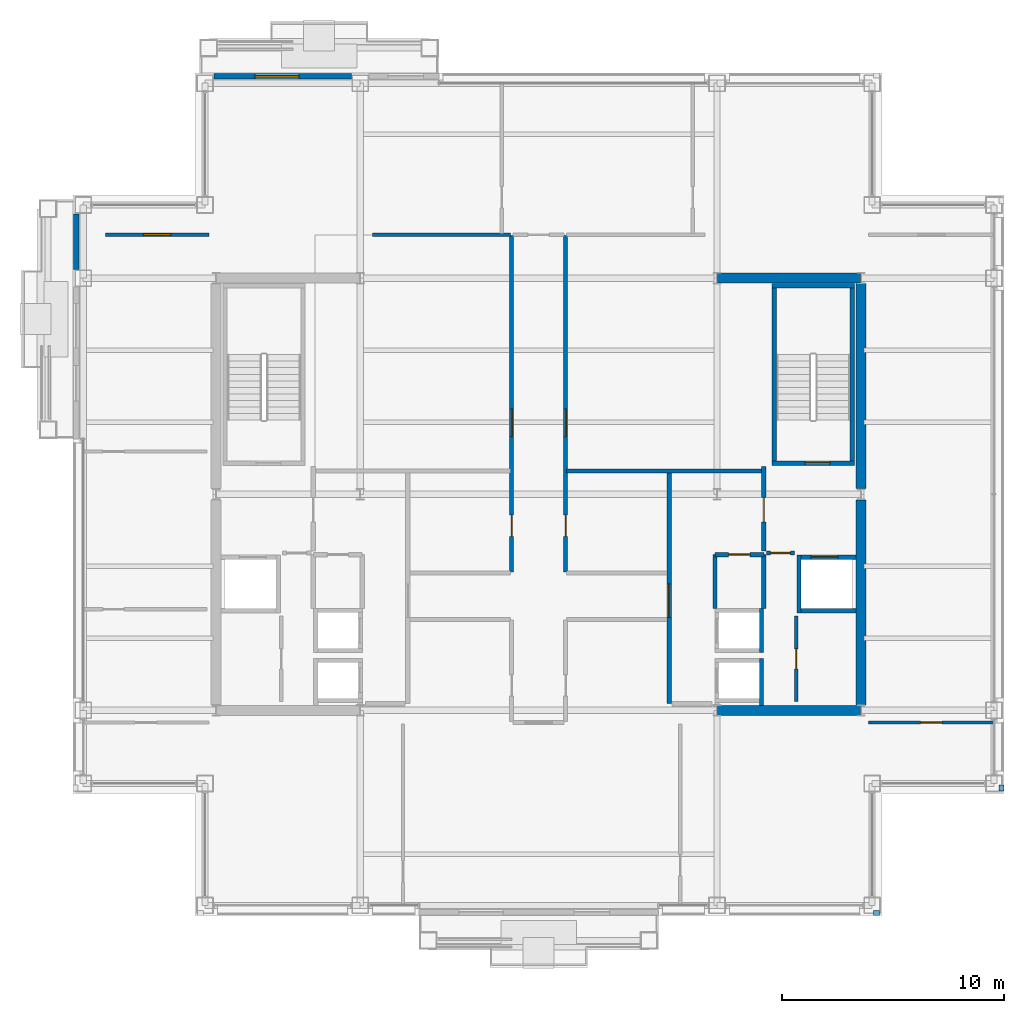
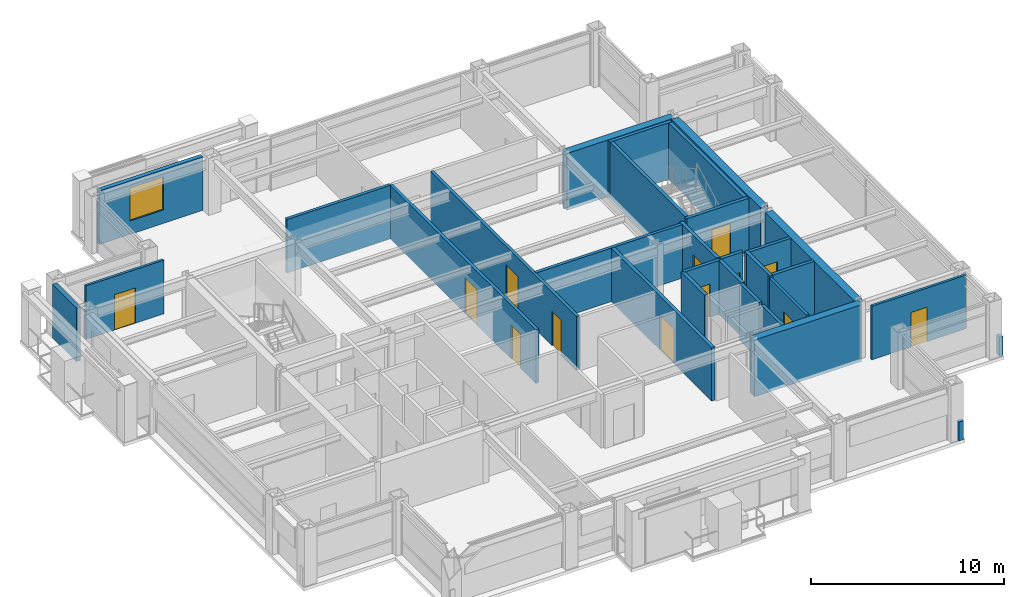
# One storey, part 27 of 31: 30 walls, 13 doors, 1 window, 14 openings.
"""IFC4 building model written with IfcOpenShell, lengths in metres."""

import ifcopenshell
import ifcopenshell.guid

model = None  # the IFC model being written
_history = None  # IfcOwnerHistory: only IFC2X3 demands one
_inside = {}  # id of a spatial element -> (the spatial element, [elements in it])
_under = {}  # id of a project, library or spatial element -> (it, [spatial elements below it])
_declared = {}  # id of a project -> (the project, [libraries it declares])
_typed = {}  # id of a type object -> (the type object, [elements of that type])
_made_of = {}  # id of a material, layer set ... -> (it, [elements and type objects made of it])


def new_model(schema):
    """Start an empty IFC model of exactly this schema.

    Asked for "IFC4X3", IfcOpenShell would pick the latest addendum, in which some entities
    have other attributes; the version numbers below select the first issue.
    IFC2X3 requires an IfcOwnerHistory on every rooted entity: one is made here for all.
    """
    global model, _history
    if schema == "IFC4X3":
        model = ifcopenshell.file(schema_version=(4, 3, 0, 0))
    else:
        model = ifcopenshell.file(schema=schema)
    _inside.clear()
    _under.clear()
    _declared.clear()
    _typed.clear()
    _made_of.clear()
    _history = None
    if model.schema == "IFC2X3":
        org = make("IfcOrganization", Name="unknown")
        user = make(
            "IfcPersonAndOrganization",
            ThePerson=make("IfcPerson", FamilyName="unknown"),
            TheOrganization=org,
        )
        app = make(
            "IfcApplication",
            ApplicationDeveloper=org,
            Version="unknown",
            ApplicationFullName="unknown",
            ApplicationIdentifier="unknown",
        )
        _history = make(
            "IfcOwnerHistory",
            OwningUser=user,
            OwningApplication=app,
            ChangeAction="ADDED",
            CreationDate=0,
        )
    return model


def make(cls, **values):
    """One entity of the class cls with the attributes given. An attribute that is None is left unset."""
    return model.create_entity(
        cls, **{name: value for name, value in values.items() if value is not None}
    )


def rooted(cls, **values):
    """An entity with a GlobalId (a new one), such as an element, a storey or a relation."""
    return make(cls, GlobalId=ifcopenshell.guid.new(), OwnerHistory=_history, **values)


def si_unit(unit_type, name, prefix=None):
    """IfcSIUnit, for example si_unit("LENGTHUNIT", "METRE", prefix="MILLI")."""
    return make("IfcSIUnit", UnitType=unit_type, Prefix=prefix, Name=name)


def assignment(units):
    """IfcUnitAssignment: the units of a project."""
    return None if units is None else make("IfcUnitAssignment", Units=units)


def point(xyz):
    """IfcCartesianPoint."""
    return None if xyz is None else make("IfcCartesianPoint", Coordinates=xyz)


def direction(xyz):
    """IfcDirection."""
    return None if xyz is None else make("IfcDirection", DirectionRatios=xyz)


def frame(location, z_axis=None, x_axis=None):
    """IfcAxis2Placement3D, a coordinate frame: its origin and axes. An axis left out is left unset."""
    return make(
        "IfcAxis2Placement3D",
        Location=point(location),
        Axis=direction(z_axis),
        RefDirection=direction(x_axis),
    )


def frame_2d(location, x_axis=None):
    """IfcAxis2Placement2D, a coordinate frame in the plane: its origin and x axis."""
    return make(
        "IfcAxis2Placement2D", Location=point(location), RefDirection=direction(x_axis)
    )


def origin():
    """The frame at (0, 0, 0) with its axes left unset."""
    return frame((0.0, 0.0, 0.0))


def place(relative_to, where):
    """IfcLocalPlacement: puts the frame where relative to a parent placement (None: the world)."""
    return make(
        "IfcLocalPlacement", PlacementRelTo=relative_to, RelativePlacement=where
    )


def context(
    kind, dimensions, precision=None, world=None, true_north=None, identifier=None
):
    """IfcGeometricRepresentationContext, for example the 3D "Model" context."""
    return make(
        "IfcGeometricRepresentationContext",
        ContextIdentifier=identifier,
        ContextType=kind,
        CoordinateSpaceDimension=dimensions,
        Precision=precision,
        WorldCoordinateSystem=world,
        TrueNorth=true_north,
    )


def subcontext(parent, identifier, kind, view, scale=None):
    """IfcGeometricRepresentationSubContext, for example "Body" below "Model"."""
    return make(
        "IfcGeometricRepresentationSubContext",
        ContextIdentifier=identifier,
        ContextType=kind,
        ParentContext=parent,
        TargetScale=scale,
        TargetView=view,
    )


def project(units=None, contexts=None):
    """IfcProject with its units and contexts."""
    return rooted(
        "IfcProject",
        Name="project",
        RepresentationContexts=contexts,
        UnitsInContext=assignment(units),
    )


def spatial(cls, under=None, at=None, **own):
    """A site, building, storey or space (cls), placed at a placement, below another one or the project."""
    s = rooted(cls, ObjectPlacement=at, **own)
    if under is not None:
        _under.setdefault(under.id(), (under, []))[1].append(s)
    return s


def profile(cls, at=None, kind="AREA", **sizes):
    """A parametric profile (cls). Its sizes go by their IFC names, for example OverallWidth=200.0."""
    return make(cls, ProfileType=kind, Position=at, **sizes)


def rectangle(**sizes):
    """IfcRectangleProfileDef."""
    return profile("IfcRectangleProfileDef", **sizes)


def extrude(swept, where, along, depth):
    """IfcExtrudedAreaSolid: the profile swept, set in the frame where, extruded along a direction by depth."""
    return make(
        "IfcExtrudedAreaSolid",
        SweptArea=swept,
        Position=where,
        ExtrudedDirection=direction(along),
        Depth=depth,
    )


def shape(context_of_items, identifier, shape_type, items):
    """IfcShapeRepresentation: the items that make up one representation, for example the "Body"."""
    return make(
        "IfcShapeRepresentation",
        ContextOfItems=context_of_items,
        RepresentationIdentifier=identifier,
        RepresentationType=shape_type,
        Items=items,
    )


def material(Name=None, Category=None):
    """IfcMaterial."""
    return make("IfcMaterial", Name=Name, Category=Category)


def layer(
    of_material, thickness, ventilated=None, Name=None, Category=None, Priority=None
):
    """IfcMaterialLayer: one layer of a wall or slab, of a material (None: an air gap)."""
    return make(
        "IfcMaterialLayer",
        Material=of_material,
        LayerThickness=thickness,
        IsVentilated=ventilated,
        Name=Name,
        Category=Category,
        Priority=Priority,
    )


def layer_set(layers, Name=None):
    """IfcMaterialLayerSet."""
    return make("IfcMaterialLayerSet", MaterialLayers=layers, LayerSetName=Name)


def made_of(thing, what):
    """Note that an element or type object is made of a material, layer set ...; save() writes the relation."""
    if what is not None:
        _made_of.setdefault(what.id(), (what, []))[1].append(thing)
    return thing


def type_object(cls, material=None, **own):
    """A type object (cls), such as IfcWallType, which elements share."""
    return made_of(rooted(cls, **own), material)


def element(
    cls,
    number,
    at=None,
    inside=None,
    cuts=None,
    type_object=None,
    material=None,
    context=None,
    identifier="Body",
    shape_type=None,
    held_by="IfcProductDefinitionShape",
    body=None,
    shapes=None,
    **own,
):
    """One element of the class cls, such as IfcWall. Its Tag is "e" and its number.

    at: its placement. inside: the storey or other place that contains it. cuts: it is an
    opening in that element (IfcRelVoidsElement). A single representation is given by context,
    identifier, shape_type and body (its items); several are given by shapes. held_by: the class
    of the entity that holds the representations. save() writes the other relations.
    """
    e = rooted(cls, Tag="e%d" % number, ObjectPlacement=at, **own)
    if body is not None:
        shapes = [shape(context, identifier, shape_type, body)]
    if shapes is not None:
        e.Representation = make(held_by, Representations=shapes)
    if inside is not None:
        _inside.setdefault(inside.id(), (inside, []))[1].append(e)
    if cuts is not None:
        rooted(
            "IfcRelVoidsElement", RelatingBuildingElement=cuts, RelatedOpeningElement=e
        )
    if type_object is not None:
        _typed.setdefault(type_object.id(), (type_object, []))[1].append(e)
    return made_of(e, material)


def fill(opening, filler):
    """IfcRelFillsElement: the door or window that sits in an opening."""
    return rooted(
        "IfcRelFillsElement",
        RelatingOpeningElement=opening,
        RelatedBuildingElement=filler,
    )


def aggregate(whole, parts):
    """IfcRelAggregates: a whole, such as a stair, and the parts it consists of."""
    return rooted("IfcRelAggregates", RelatingObject=whole, RelatedObjects=parts)


def save(model, path):
    """Write the relations noted so far, then the file.

    IfcRelAggregates (storeys below a building ...), IfcRelContainedInSpatialStructure (elements
    in a storey), IfcRelDefinesByType, IfcRelAssociatesMaterial and IfcRelDeclares: one each for
    every whole, place, type object, material and project.
    """
    for whole, parts in _under.values():
        aggregate(whole, parts)
    for where, things in _inside.values():
        rooted(
            "IfcRelContainedInSpatialStructure",
            RelatedElements=things,
            RelatingStructure=where,
        )
    for kind, things in _typed.values():
        rooted("IfcRelDefinesByType", RelatedObjects=things, RelatingType=kind)
    for what, things in _made_of.values():
        rooted("IfcRelAssociatesMaterial", RelatedObjects=things, RelatingMaterial=what)
    for by, libraries in _declared.values():
        rooted("IfcRelDeclares", RelatingContext=by, RelatedDefinitions=libraries)
    model.write(path)


model = new_model("IFC4")

# Units and contexts
model_context = context("Model", 3, precision=1e-05, world=origin(), true_north=direction((0.0, 1.0)))
body_context = subcontext(model_context, "Body", "Model", "MODEL_VIEW")
ifc_project = project(units=[si_unit("LENGTHUNIT", "METRE"), si_unit("AREAUNIT", "SQUARE_METRE"), si_unit("VOLUMEUNIT", "CUBIC_METRE"), si_unit("PLANEANGLEUNIT", "RADIAN"), si_unit("MASSUNIT", "GRAM", prefix="KILO")], contexts=[model_context])

# Site, building, storey
site_placement = place(None, origin())
site = spatial("IfcSite", under=ifc_project, at=site_placement, CompositionType="ELEMENT")
building_placement = place(site_placement, origin())
building = spatial("IfcBuilding", under=site, at=building_placement, Name="Brelmoor Portico Tower", CompositionType="ELEMENT")
storey_placement = place(building_placement, frame((0.0, 0.0, 176.699951171875)))
storey = spatial("IfcBuildingStorey", under=building, at=storey_placement, Name="L46", CompositionType="ELEMENT", Elevation=176.699951171875)

# Walls
ifc_material_1 = material(Name="Concrete C50", Category="concrete")
ifc_layer_1 = layer(ifc_material_1, 0.449951171875)
ifc_layer_set_1 = layer_set([ifc_layer_1], Name="Concrete C50")
wall_type_1 = type_object("IfcWallType", Name="WL-CORE-450", PredefinedType="SHEAR", material=ifc_layer_set_1)
for number, where, z_axis, x_axis, name in (
    (1, (8.070068359375, -9.75, -0.199951171875), (0.0, 0.0, 1.0), (1.0, 0.0, 0.0), "L46 EC South Shear Wall"),
    (2, (8.070068359375, 9.75, -0.199951171875), (0.0, 0.0, 1.0), (1.0, 0.0, 0.0), "L46 EC North Shear Wall"),
):
    element("IfcWall", number, at=place(storey_placement, frame(where, z_axis=z_axis, x_axis=x_axis)), inside=storey, type_object=wall_type_1, Name=name, PredefinedType="SHEAR", context=body_context, shape_type="SweptSolid", body=[
        extrude(rectangle(XDim=6.4599609375, YDim=0.449951171875, at=frame_2d((3.22998046875, 0.0))), origin(), (0.0, 0.0, 1.0), 3.60009765625),
    ])
for number, where, z_axis, x_axis, name in (
    (3, (14.550048828125, -9.5, -0.199951171875), (0.0, 0.0, 1.0), (0.0, 1.0, 0.0), "L46 EC Outer South Shear Wall"),
    (4, (14.550048828125, 0.25, -0.199951171875), (0.0, 0.0, 1.0), (0.0, 1.0, 0.0), "L46 EC Outer North Shear Wall"),
):
    element("IfcWall", number, at=place(storey_placement, frame(where, z_axis=z_axis, x_axis=x_axis)), inside=storey, type_object=wall_type_1, Name=name, PredefinedType="SHEAR", context=body_context, shape_type="SweptSolid", body=[
        extrude(rectangle(XDim=9.25, YDim=0.449951171875, at=frame_2d((4.625, 0.0))), origin(), (0.0, 0.0, 1.0), 3.60009765625),
    ])

# Wall, opening, window
ifc_material_2 = material(Name="Precast Concrete C40 Insulated Facade Wall", Category="concrete")
ifc_layer_2 = layer(ifc_material_2, 0.25)
ifc_layer_set_2 = layer_set([ifc_layer_2], Name="Precast Concrete C40 Insulated Facade Wall")
wall_type_2 = type_object("IfcWallType", Name="WL-EXT-250", PredefinedType="STANDARD", material=ifc_layer_set_2)
wall_1_placement = place(storey_placement, frame((-14.655029296875, 18.860107421875, 0.0), z_axis=(0.0, 0.0, 1.0), x_axis=(1.0, 0.0, 0.0)))
wall_1 = element("IfcWall", 5, at=wall_1_placement, inside=storey, type_object=wall_type_2, Name="L46 Loggia Threshold Wall N-1", PredefinedType="STANDARD", context=body_context, shape_type="SweptSolid", body=[
    extrude(rectangle(XDim=6.2099609375, YDim=0.25, at=frame_2d((3.10498046875, 0.0))), origin(), (0.0, 0.0, 1.0), 3.400146484375),
])
opening_1_placement = place(wall_1_placement, frame((1.85498046875, 0.0, 0.85009765625)))
opening_1 = element("IfcOpeningElement", 6, at=opening_1_placement, cuts=wall_1, Name="Opening W-03", PredefinedType="OPENING", context=body_context, shape_type="SweptSolid", body=[
    extrude(rectangle(XDim=2.0, YDim=2.10009765625, at=frame_2d((1.0, 1.050048828125))), frame((0.0, 0.135009765625, 0.0), z_axis=(0.0, -1.0, 0.0), x_axis=(1.0, 0.0, 0.0)), (0.0, 0.0, 1.0), 0.27001953125),
])
ifc_material_3 = material(Name="Thermally Broken Aluminium Low-E Window", Category="aluminium")
window_type = type_object("IfcWindowType", Name="WN-LOGGIA-2000x2100", PartitioningType="SINGLE_PANEL", PredefinedType="WINDOW", material=ifc_material_3)
window_placement = place(opening_1_placement, origin())
window = element("IfcWindow", 7, at=window_placement, inside=storey, type_object=window_type, Name="L46 Loggia Window N", OverallHeight=2.10009765625, OverallWidth=2.0, PartitioningType="SINGLE_PANEL", PredefinedType="WINDOW", context=body_context, shape_type="SweptSolid", body=[
    extrude(rectangle(XDim=2.0, YDim=2.10009765625, at=frame_2d((1.0, 1.050048828125))), frame((0.0, 0.030029296875, 0.0), z_axis=(0.0, -1.0, 0.0), x_axis=(1.0, 0.0, 0.0)), (0.0, 0.0, 1.0), 0.06005859375),
])
fill(opening_1, window)

# Walls
wall_2_placement = place(storey_placement, frame((-20.860107421875, 10.14501953125, 0.0), z_axis=(0.0, 0.0, 1.0), x_axis=(0.0, 1.0, 0.0)))
element("IfcWall", 8, at=wall_2_placement, inside=storey, type_object=wall_type_2, Name="L46 Loggia Threshold Wall W-2", PredefinedType="STANDARD", context=body_context, shape_type="SweptSolid", body=[
    extrude(rectangle(XDim=2.510009765625, YDim=0.25, at=frame_2d((1.2548828125, 0.0))), origin(), (0.0, 0.0, 1.0), 3.400146484375),
])
ifc_material_4 = material(Name="Concrete C40 Parapet Upstand", Category="concrete")
ifc_layer_3 = layer(ifc_material_4, 0.219970703125)
ifc_layer_set_3 = layer_set([ifc_layer_3], Name="Concrete C40 Parapet Upstand")
wall_type_3 = type_object("IfcWallType", Name="WL-PARAPET-220", PredefinedType="PARAPET", material=ifc_layer_set_3)
for number, where, z_axis, x_axis, name in (
    (9, (15.1201171875, -18.889892578125, 0.0), (0.0, 0.0, 1.0), (1.0, 0.0, 0.0), "L46 Chamfer Vertex Parapet Pier SE1"),
    (10, (20.889892578125, -13.389892578125, 0.0), (0.0, 0.0, 1.0), (0.0, 1.0, 0.0), "L46 Chamfer Vertex Parapet Pier SE2"),
):
    element("IfcWall", number, at=place(storey_placement, frame(where, z_axis=z_axis, x_axis=x_axis)), inside=storey, type_object=wall_type_3, Name=name, PredefinedType="PARAPET", context=body_context, shape_type="SweptSolid", body=[
        extrude(rectangle(XDim=0.269775390625, YDim=0.219970703125, at=frame_2d((0.134765625, 0.0))), origin(), (0.0, 0.0, 1.0), 1.199951171875),
    ])

# Wall, opening, door
ifc_material_5 = material(Name="Wet-Area Moisture-Resistant Partition", Category="gypsum")
ifc_layer_4 = layer(ifc_material_5, 0.14990234375)
ifc_layer_set_4 = layer_set([ifc_layer_4], Name="Wet-Area Moisture-Resistant Partition")
wall_type_4 = type_object("IfcWallType", Name="WL-PART-150", PredefinedType="PARTITIONING", material=ifc_layer_set_4)
wall_3_placement = place(storey_placement, frame((-19.550048828125, 11.7099609375, 0.0), z_axis=(0.0, 0.0, 1.0), x_axis=(1.0, 0.0, 0.0)))
wall_3 = element("IfcWall", 11, at=wall_3_placement, inside=storey, type_object=wall_type_4, Name="L46 North Wing Suite Wall WL", PredefinedType="PARTITIONING", context=body_context, shape_type="SweptSolid", body=[
    extrude(rectangle(XDim=4.670166015625, YDim=0.14990234375, at=frame_2d((2.3349609375, 0.0))), origin(), (0.0, 0.0, 1.0), 3.400146484375),
])
opening_2_placement = place(wall_3_placement, frame((1.715087890625, 0.0, 0.0)))
opening_2 = element("IfcOpeningElement", 12, at=opening_2_placement, cuts=wall_3, Name="Opening D-SU1", PredefinedType="OPENING", context=body_context, shape_type="SweptSolid", body=[
    extrude(rectangle(XDim=1.239990234375, YDim=2.239990234375, at=frame_2d((0.6201171875, 1.1201171875))), frame((0.0, 0.0849609375, 0.0), z_axis=(0.0, -1.0, 0.0), x_axis=(1.0, 0.0, 0.0)), (0.0, 0.0, 1.0), 0.169921875),
])
ifc_material_6 = material(Name="Glazed Timber Executive Suite Door", Category="wood")
door_type_1 = type_object("IfcDoorType", Name="DR-SUITE-1200", OperationType="NOTDEFINED", PredefinedType="DOOR", material=ifc_material_6)
door_1_placement = place(opening_2_placement, origin())
door_1 = element("IfcDoor", 13, at=door_1_placement, inside=storey, type_object=door_type_1, Name="D-1966 L46 WL Wing Suite Connecting Door", OperationType="SINGLE_SWING_LEFT", OverallHeight=2.239990234375, OverallWidth=1.239990234375, PredefinedType="DOOR", context=body_context, shape_type="SweptSolid", body=[
    extrude(rectangle(XDim=1.239990234375, YDim=2.239990234375, at=frame_2d((0.6201171875, 1.1201171875))), frame((0.0, 0.02490234375, 0.0), z_axis=(0.0, -1.0, 0.0), x_axis=(1.0, 0.0, 0.0)), (0.0, 0.0, 1.0), 0.050048828125),
])
fill(opening_2, door_1)

wall_4_placement = place(storey_placement, frame((14.8798828125, -10.300048828125, 0.0), z_axis=(0.0, 0.0, 1.0), x_axis=(1.0, 0.0, 0.0)))
wall_4 = element("IfcWall", 14, at=wall_4_placement, inside=storey, type_object=wall_type_4, Name="L46 South Wing Closure ER", PredefinedType="PARTITIONING", context=body_context, shape_type="SweptSolid", body=[
    extrude(rectangle(XDim=5.68017578125, YDim=0.14990234375, at=frame_2d((2.840087890625, 0.0))), origin(), (0.0, 0.0, 1.0), 3.400146484375),
])
opening_3_placement = place(wall_4_placement, frame((2.360107421875, 0.0, 0.0)))
opening_3 = element("IfcOpeningElement", 15, at=opening_3_placement, cuts=wall_4, Name="Opening D-IN2", PredefinedType="OPENING", context=body_context, shape_type="SweptSolid", body=[
    extrude(rectangle(XDim=0.9599609375, YDim=2.179931640625, at=frame_2d((0.47998046875, 1.08984375))), frame((0.0, 0.0849609375, 0.0), z_axis=(0.0, -1.0, 0.0), x_axis=(1.0, 0.0, 0.0)), (0.0, 0.0, 1.0), 0.169921875),
])
ifc_material_7 = material(Name="Lacquered Timber Suite Door", Category="wood")
door_type_2 = type_object("IfcDoorType", Name="DR-INT-950", OperationType="NOTDEFINED", PredefinedType="DOOR", material=ifc_material_7)
door_2_placement = place(opening_3_placement, origin())
door_2 = element("IfcDoor", 16, at=door_2_placement, inside=storey, type_object=door_type_2, Name="D-1972 L46 ER Wing South Suite Door", OperationType="SINGLE_SWING_LEFT", OverallHeight=2.179931640625, OverallWidth=0.9599609375, PredefinedType="DOOR", context=body_context, shape_type="SweptSolid", body=[
    extrude(rectangle(XDim=0.9599609375, YDim=2.179931640625, at=frame_2d((0.47998046875, 1.08984375))), frame((0.0, 0.02490234375, 0.0), z_axis=(0.0, -1.0, 0.0), x_axis=(1.0, 0.0, 0.0)), (0.0, 0.0, 1.0), 0.050048828125),
])
fill(opening_3, door_2)

ifc_material_8 = material(Name="Twin-Frame Acoustic Partition", Category="gypsum")
ifc_layer_5 = layer(ifc_material_8, 0.159912109375)
ifc_layer_set_5 = layer_set([ifc_layer_5], Name="Twin-Frame Acoustic Partition")
wall_type_5 = type_object("IfcWallType", Name="WL-PART-160", PredefinedType="PARTITIONING", material=ifc_layer_set_5)
wall_5_placement = place(storey_placement, frame((11.6201171875, -9.35009765625, 0.0), z_axis=(0.0, 0.0, 1.0), x_axis=(0.0, 1.0, 0.0)))
wall_5 = element("IfcWall", 17, at=wall_5_placement, inside=storey, type_object=wall_type_5, Name="L46 E Core Service Front Wall", PredefinedType="PARTITIONING", context=body_context, shape_type="SweptSolid", body=[
    extrude(rectangle(XDim=3.85009765625, YDim=0.159912109375, at=frame_2d((1.925048828125, 0.0))), origin(), (0.0, 0.0, 1.0), 3.400146484375),
])
opening_4_placement = place(wall_5_placement, frame((1.47509765625, 0.0, 0.0)))
opening_4 = element("IfcOpeningElement", 18, at=opening_4_placement, cuts=wall_5, Name="Opening D-IN1", PredefinedType="OPENING", context=body_context, shape_type="SweptSolid", body=[
    extrude(rectangle(XDim=0.89990234375, YDim=2.14990234375, at=frame_2d((0.449951171875, 1.074951171875))), frame((0.0, 0.08984375, 0.0), z_axis=(0.0, -1.0, 0.0), x_axis=(1.0, 0.0, 0.0)), (0.0, 0.0, 1.0), 0.179931640625),
])
door_type_3 = type_object("IfcDoorType", Name="DR-INT-900", OperationType="NOTDEFINED", PredefinedType="DOOR", material=ifc_material_7)
door_3_placement = place(opening_4_placement, origin())
door_3 = element("IfcDoor", 19, at=door_3_placement, inside=storey, type_object=door_type_3, Name="D-1952 L46 E Male WC Door", OperationType="SINGLE_SWING_LEFT", OverallHeight=2.14990234375, OverallWidth=0.89990234375, PredefinedType="DOOR", context=body_context, shape_type="SweptSolid", body=[
    extrude(rectangle(XDim=0.89990234375, YDim=2.14990234375, at=frame_2d((0.449951171875, 1.074951171875))), frame((0.0, 0.02490234375, 0.0), z_axis=(0.0, -1.0, 0.0), x_axis=(1.0, 0.0, 0.0)), (0.0, 0.0, 1.0), 0.050048828125),
])
fill(opening_4, door_3)

# Wall, openings, doors
ifc_material_9 = material(Name="Acoustic Corridor Fire Partition", Category="gypsum")
ifc_layer_6 = layer(ifc_material_9, 0.179931640625)
ifc_layer_set_6 = layer_set([ifc_layer_6], Name="Acoustic Corridor Fire Partition")
wall_type_6 = type_object("IfcWallType", Name="WL-PART-180", PredefinedType="PARTITIONING", material=ifc_layer_set_6)
wall_6_placement = place(storey_placement, frame((-1.219970703125, -3.5, 0.0), z_axis=(0.0, 0.0, 1.0), x_axis=(0.0, 1.0, 0.0)))
wall_6 = element("IfcWall", 20, at=wall_6_placement, inside=storey, type_object=wall_type_6, Name="L46 Central Cross West Wall", PredefinedType="PARTITIONING", context=body_context, shape_type="SweptSolid", body=[
    extrude(rectangle(XDim=15.169921875, YDim=0.179931640625, at=frame_2d((7.5849609375, 0.0))), origin(), (0.0, 0.0, 1.0), 3.400146484375),
])
opening_5_placement = place(wall_6_placement, frame((6.10009765625, 0.0, 0.0)))
opening_5 = element("IfcOpeningElement", 21, at=opening_5_placement, cuts=wall_6, Name="Opening D-SU1", PredefinedType="OPENING", context=body_context, shape_type="SweptSolid", body=[
    extrude(rectangle(XDim=1.239990234375, YDim=2.239990234375, at=frame_2d((0.6201171875, 1.1201171875))), frame((0.0, 0.099853515625, 0.0), z_axis=(0.0, -1.0, 0.0), x_axis=(1.0, 0.0, 0.0)), (0.0, 0.0, 1.0), 0.199951171875),
])
opening_6_placement = place(wall_6_placement, frame((1.60009765625, 0.0, 0.0)))
opening_6 = element("IfcOpeningElement", 22, at=opening_6_placement, cuts=wall_6, Name="Opening D-IN2", PredefinedType="OPENING", context=body_context, shape_type="SweptSolid", body=[
    extrude(rectangle(XDim=0.9599609375, YDim=2.179931640625, at=frame_2d((0.47998046875, 1.08984375))), frame((0.0, 0.099853515625, 0.0), z_axis=(0.0, -1.0, 0.0), x_axis=(1.0, 0.0, 0.0)), (0.0, 0.0, 1.0), 0.199951171875),
])
door_4_placement = place(opening_6_placement, origin())
door_4 = element("IfcDoor", 23, at=door_4_placement, inside=storey, type_object=door_type_2, Name="D-1950 L46 Staff Pantry Door", OperationType="SINGLE_SWING_LEFT", OverallHeight=2.179931640625, OverallWidth=0.9599609375, PredefinedType="DOOR", context=body_context, shape_type="SweptSolid", body=[
    extrude(rectangle(XDim=0.9599609375, YDim=2.179931640625, at=frame_2d((0.47998046875, 1.08984375))), frame((0.0, 0.02490234375, 0.0), z_axis=(0.0, -1.0, 0.0), x_axis=(1.0, 0.0, 0.0)), (0.0, 0.0, 1.0), 0.050048828125),
])
fill(opening_6, door_4)
door_5_placement = place(opening_5_placement, origin())
door_5 = element("IfcDoor", 24, at=door_5_placement, inside=storey, type_object=door_type_1, Name="D-1951 L46 West Reclaimed Studio Door", OperationType="SINGLE_SWING_RIGHT", OverallHeight=2.239990234375, OverallWidth=1.239990234375, PredefinedType="DOOR", context=body_context, shape_type="SweptSolid", body=[
    extrude(rectangle(XDim=1.239990234375, YDim=2.239990234375, at=frame_2d((0.6201171875, 1.1201171875))), frame((0.0, 0.02490234375, 0.0), z_axis=(0.0, -1.0, 0.0), x_axis=(1.0, 0.0, 0.0)), (0.0, 0.0, 1.0), 0.050048828125),
])
fill(opening_5, door_5)

# Walls
wall_7_placement = place(storey_placement, frame((-7.5, 11.7099609375, 0.0), z_axis=(0.0, 0.0, 1.0), x_axis=(1.0, 0.0, 0.0)))
element("IfcWall", 25, at=wall_7_placement, inside=storey, type_object=wall_type_6, Name="L46 West Reclaimed Suite North Wall", PredefinedType="PARTITIONING", context=body_context, shape_type="SweptSolid", body=[
    extrude(rectangle(XDim=6.239990234375, YDim=0.179931640625, at=frame_2d((3.1201171875, 0.0))), origin(), (0.0, 0.0, 1.0), 3.400146484375),
])
wall_8_placement = place(storey_placement, frame((1.260009765625, 1.050048828125, 0.0), z_axis=(0.0, 0.0, 1.0), x_axis=(1.0, 0.0, 0.0)))
element("IfcWall", 26, at=wall_8_placement, inside=storey, type_object=wall_type_6, Name="L46 East Suite South Wall", PredefinedType="PARTITIONING", context=body_context, shape_type="SweptSolid", body=[
    extrude(rectangle(XDim=8.800048828125, YDim=0.179931640625, at=frame_2d((4.39990234375, 0.0))), origin(), (0.0, 0.0, 1.0), 3.400146484375),
])

# Wall, openings, doors
wall_9_placement = place(storey_placement, frame((1.219970703125, -3.5, 0.0), z_axis=(0.0, 0.0, 1.0), x_axis=(0.0, 1.0, 0.0)))
wall_9 = element("IfcWall", 27, at=wall_9_placement, inside=storey, type_object=wall_type_6, Name="L46 Central Cross East Wall", PredefinedType="PARTITIONING", context=body_context, shape_type="SweptSolid", body=[
    extrude(rectangle(XDim=15.169921875, YDim=0.179931640625, at=frame_2d((7.5849609375, 0.0))), origin(), (0.0, 0.0, 1.0), 3.400146484375),
])
opening_7_placement = place(wall_9_placement, frame((6.10009765625, 0.0, 0.0)))
opening_7 = element("IfcOpeningElement", 28, at=opening_7_placement, cuts=wall_9, Name="Opening D-SU1", PredefinedType="OPENING", context=body_context, shape_type="SweptSolid", body=[
    extrude(rectangle(XDim=1.239990234375, YDim=2.239990234375, at=frame_2d((0.6201171875, 1.1201171875))), frame((0.0, 0.099853515625, 0.0), z_axis=(0.0, -1.0, 0.0), x_axis=(1.0, 0.0, 0.0)), (0.0, 0.0, 1.0), 0.199951171875),
])
opening_8_placement = place(wall_9_placement, frame((1.60009765625, 0.0, 0.0)))
opening_8 = element("IfcOpeningElement", 29, at=opening_8_placement, cuts=wall_9, Name="Opening D-IN2", PredefinedType="OPENING", context=body_context, shape_type="SweptSolid", body=[
    extrude(rectangle(XDim=0.9599609375, YDim=2.179931640625, at=frame_2d((0.47998046875, 1.08984375))), frame((0.0, 0.099853515625, 0.0), z_axis=(0.0, -1.0, 0.0), x_axis=(1.0, 0.0, 0.0)), (0.0, 0.0, 1.0), 0.199951171875),
])
door_6_placement = place(opening_8_placement, origin())
door_6 = element("IfcDoor", 30, at=door_6_placement, inside=storey, type_object=door_type_2, Name="D-1946 L46 Client Project Office Door", OperationType="SINGLE_SWING_LEFT", OverallHeight=2.179931640625, OverallWidth=0.9599609375, PredefinedType="DOOR", context=body_context, shape_type="SweptSolid", body=[
    extrude(rectangle(XDim=0.9599609375, YDim=2.179931640625, at=frame_2d((0.47998046875, 1.08984375))), frame((0.0, 0.02490234375, 0.0), z_axis=(0.0, -1.0, 0.0), x_axis=(1.0, 0.0, 0.0)), (0.0, 0.0, 1.0), 0.050048828125),
])
fill(opening_8, door_6)
door_7_placement = place(opening_7_placement, origin())
door_7 = element("IfcDoor", 31, at=door_7_placement, inside=storey, type_object=door_type_1, Name="D-1947 L46 East Reclaimed Studio Door", OperationType="SINGLE_SWING_RIGHT", OverallHeight=2.239990234375, OverallWidth=1.239990234375, PredefinedType="DOOR", context=body_context, shape_type="SweptSolid", body=[
    extrude(rectangle(XDim=1.239990234375, YDim=2.239990234375, at=frame_2d((0.6201171875, 1.1201171875))), frame((0.0, 0.02490234375, 0.0), z_axis=(0.0, -1.0, 0.0), x_axis=(1.0, 0.0, 0.0)), (0.0, 0.0, 1.0), 0.050048828125),
])
fill(opening_7, door_7)

# Wall, opening, door
ifc_material_10 = material(Name="Double-Stud Gypsum Fire Partition", Category="gypsum")
ifc_layer_7 = layer(ifc_material_10, 0.199951171875)
ifc_layer_set_7 = layer_set([ifc_layer_7], Name="Double-Stud Gypsum Fire Partition")
wall_type_7 = type_object("IfcWallType", Name="WL-PART-200", PredefinedType="PARTITIONING", material=ifc_layer_set_7)
wall_10_placement = place(storey_placement, frame((5.89990234375, -9.449951171875, 0.0), z_axis=(0.0, 0.0, 1.0), x_axis=(0.0, 1.0, 0.0)))
wall_10 = element("IfcWall", 32, at=wall_10_placement, inside=storey, type_object=wall_type_7, Name="L46 E Core Lobby Compartment Wall", PredefinedType="PARTITIONING", context=body_context, shape_type="SweptSolid", body=[
    extrude(rectangle(XDim=10.5, YDim=0.199951171875, at=frame_2d((5.25, 0.0))), origin(), (0.0, 0.0, 1.0), 3.400146484375),
])
opening_9_placement = place(wall_10_placement, frame((3.89990234375, 0.0, 0.0)))
opening_9 = element("IfcOpeningElement", 33, at=opening_9_placement, cuts=wall_10, Name="Opening D-LB1", PredefinedType="OPENING", context=body_context, shape_type="SweptSolid", body=[
    extrude(rectangle(XDim=1.5, YDim=2.199951171875, at=frame_2d((0.75, 1.10009765625))), frame((0.0, 0.10986328125, 0.0), z_axis=(0.0, -1.0, 0.0), x_axis=(1.0, 0.0, 0.0)), (0.0, 0.0, 1.0), 0.219970703125),
])
ifc_material_11 = material(Name="Double-Leaf Glazed Steel Fire Door", Category="steel")
door_type_4 = type_object("IfcDoorType", Name="DR-LOBBY-1500", OperationType="NOTDEFINED", PredefinedType="DOOR", material=ifc_material_11)
door_8_placement = place(opening_9_placement, origin())
door_8 = element("IfcDoor", 34, at=door_8_placement, inside=storey, type_object=door_type_4, Name="D-1960 L46 E Lift Lobby Main Door", OperationType="DOUBLE_DOOR_SINGLE_SWING", OverallHeight=2.199951171875, OverallWidth=1.5, PredefinedType="DOOR", context=body_context, shape_type="SweptSolid", body=[
    extrude(rectangle(XDim=1.5, YDim=2.199951171875, at=frame_2d((0.75, 1.10009765625))), frame((0.0, 0.02490234375, 0.0), z_axis=(0.0, -1.0, 0.0), x_axis=(1.0, 0.0, 0.0)), (0.0, 0.0, 1.0), 0.050048828125),
])
fill(opening_9, door_8)

wall_11_placement = place(storey_placement, frame((10.159912109375, -2.550048828125, 0.0), z_axis=(0.0, 0.0, 1.0), x_axis=(0.0, 1.0, 0.0)))
wall_11 = element("IfcWall", 35, at=wall_11_placement, inside=storey, type_object=wall_type_7, Name="L46 E Firefighting Lobby Wall", PredefinedType="PARTITIONING", context=body_context, shape_type="SweptSolid", body=[
    extrude(rectangle(XDim=3.800048828125, YDim=0.199951171875, at=frame_2d((1.89990234375, 0.0))), origin(), (0.0, 0.0, 1.0), 3.400146484375),
])
opening_10_placement = place(wall_11_placement, frame((1.300048828125, 0.0, 0.0)))
opening_10 = element("IfcOpeningElement", 36, at=opening_10_placement, cuts=wall_11, Name="Opening D-FR1", PredefinedType="OPENING", context=body_context, shape_type="SweptSolid", body=[
    extrude(rectangle(XDim=1.10009765625, YDim=2.14990234375, at=frame_2d((0.550048828125, 1.074951171875))), frame((0.0, 0.10986328125, 0.0), z_axis=(0.0, -1.0, 0.0), x_axis=(1.0, 0.0, 0.0)), (0.0, 0.0, 1.0), 0.219970703125),
])
ifc_material_12 = material(Name="Painted Galvanised Steel Fire Door", Category="steel")
door_type_5 = type_object("IfcDoorType", Name="DR-FIRE-1100", OperationType="NOTDEFINED", PredefinedType="DOOR", material=ifc_material_12)
door_9_placement = place(opening_10_placement, origin())
door_9 = element("IfcDoor", 37, at=door_9_placement, inside=storey, type_object=door_type_5, Name="D-1958 L46 E Firefighting Lobby Door", OperationType="SINGLE_SWING_RIGHT", OverallHeight=2.14990234375, OverallWidth=1.10009765625, PredefinedType="DOOR", context=body_context, shape_type="SweptSolid", body=[
    extrude(rectangle(XDim=1.10009765625, YDim=2.14990234375, at=frame_2d((0.550048828125, 1.074951171875))), frame((0.0, 0.02490234375, 0.0), z_axis=(0.0, -1.0, 0.0), x_axis=(1.0, 0.0, 0.0)), (0.0, 0.0, 1.0), 0.050048828125),
])
fill(opening_10, door_9)

wall_12_placement = place(storey_placement, frame((10.280029296875, -2.64990234375, 0.0), z_axis=(0.0, 0.0, 1.0), x_axis=(1.0, 0.0, 0.0)))
wall_12 = element("IfcWall", 38, at=wall_12_placement, inside=storey, type_object=wall_type_7, Name="L46 E Firefighting Lobby South Wall", PredefinedType="PARTITIONING", context=body_context, shape_type="SweptSolid", body=[
    extrude(rectangle(XDim=1.27001953125, YDim=0.199951171875, at=frame_2d((0.635009765625, 0.0))), origin(), (0.0, 0.0, 1.0), 3.400146484375),
])
opening_11_placement = place(wall_12_placement, frame((0.18505859375, 0.0, 0.0)))
opening_11 = element("IfcOpeningElement", 39, at=opening_11_placement, cuts=wall_12, Name="Opening D-IN1", PredefinedType="OPENING", context=body_context, shape_type="SweptSolid", body=[
    extrude(rectangle(XDim=0.89990234375, YDim=2.14990234375, at=frame_2d((0.449951171875, 1.074951171875))), frame((0.0, 0.10986328125, 0.0), z_axis=(0.0, -1.0, 0.0), x_axis=(1.0, 0.0, 0.0)), (0.0, 0.0, 1.0), 0.219970703125),
])
door_10_placement = place(opening_11_placement, origin())
door_10 = element("IfcDoor", 40, at=door_10_placement, inside=storey, type_object=door_type_3, Name="D-1953 L46 E Core Service Vestibule Door", OperationType="SINGLE_SWING_LEFT", OverallHeight=2.14990234375, OverallWidth=0.89990234375, PredefinedType="DOOR", context=body_context, shape_type="SweptSolid", body=[
    extrude(rectangle(XDim=0.89990234375, YDim=2.14990234375, at=frame_2d((0.449951171875, 1.074951171875))), frame((0.0, 0.02490234375, 0.0), z_axis=(0.0, -1.0, 0.0), x_axis=(1.0, 0.0, 0.0)), (0.0, 0.0, 1.0), 0.050048828125),
])
fill(opening_11, door_10)

wall_13_placement = place(storey_placement, frame((7.9599609375, -2.719970703125, 0.0), z_axis=(0.0, 0.0, 1.0), x_axis=(1.0, 0.0, 0.0)))
wall_13 = element("IfcWall", 41, at=wall_13_placement, inside=storey, type_object=wall_type_7, Name="L46 E Electrical Switchgear Closet Wall", PredefinedType="PARTITIONING", context=body_context, shape_type="SweptSolid", body=[
    extrude(rectangle(XDim=2.199951171875, YDim=0.199951171875, at=frame_2d((1.10009765625, 0.0))), origin(), (0.0, 0.0, 1.0), 3.400146484375),
])
opening_12_placement = place(wall_13_placement, frame((0.6201171875, 0.0, 0.0)))
opening_12 = element("IfcOpeningElement", 42, at=opening_12_placement, cuts=wall_13, Name="Opening D-FR4", PredefinedType="OPENING", context=body_context, shape_type="SweptSolid", body=[
    extrude(rectangle(XDim=0.949951171875, YDim=2.10009765625, at=frame_2d((0.47509765625, 1.050048828125))), frame((0.0, 0.10986328125, 0.0), z_axis=(0.0, -1.0, 0.0), x_axis=(1.0, 0.0, 0.0)), (0.0, 0.0, 1.0), 0.219970703125),
])
ifc_material_13 = material(Name="Painted Galvanised Steel Riser Door", Category="steel")
door_type_6 = type_object("IfcDoorType", Name="DR-FIRE-950", OperationType="NOTDEFINED", PredefinedType="DOOR", material=ifc_material_13)
door_11_placement = place(opening_12_placement, origin())
door_11 = element("IfcDoor", 43, at=door_11_placement, inside=storey, type_object=door_type_6, Name="D-1956 L46 E Electrical Switchgear Closet Door", OperationType="SINGLE_SWING_RIGHT", OverallHeight=2.10009765625, OverallWidth=0.949951171875, PredefinedType="DOOR", context=body_context, shape_type="SweptSolid", body=[
    extrude(rectangle(XDim=0.949951171875, YDim=2.10009765625, at=frame_2d((0.47509765625, 1.050048828125))), frame((0.0, 0.02490234375, 0.0), z_axis=(0.0, -1.0, 0.0), x_axis=(1.0, 0.0, 0.0)), (0.0, 0.0, 1.0), 0.050048828125),
])
fill(opening_12, door_11)

# Walls
for number, where, z_axis, x_axis, name in (
    (44, (7.9599609375, -5.159912109375, 0.0), (0.0, 0.0, 1.0), (0.0, 1.0, 0.0), "L46 E Electrical Switchgear Closet Inner Wall"),
    (45, (10.159912109375, -5.159912109375, 0.0), (0.0, 0.0, 1.0), (0.0, 1.0, 0.0), "L46 E Electrical Switchgear Closet Outer Wall"),
):
    element("IfcWall", number, at=place(storey_placement, frame(where, z_axis=z_axis, x_axis=x_axis)), inside=storey, type_object=wall_type_7, Name=name, PredefinedType="PARTITIONING", context=body_context, shape_type="SweptSolid", body=[
        extrude(rectangle(XDim=2.43994140625, YDim=0.199951171875, at=frame_2d((1.219970703125, 0.0))), origin(), (0.0, 0.0, 1.0), 3.400146484375),
    ])
ifc_material_14 = material(Name="Precast Concrete C40", Category="concrete")
ifc_layer_8 = layer(ifc_material_14, 0.18994140625)
ifc_layer_set_8 = layer_set([ifc_layer_8], Name="Precast Concrete C40")
wall_type_8 = type_object("IfcWallType", Name="WL-SHAFT-180", PredefinedType="SOLIDWALL", material=ifc_layer_set_8)
wall_14_placement = place(storey_placement, frame((10.054931640625, -9.52001953125, -0.199951171875), z_axis=(0.0, 0.0, 1.0), x_axis=(0.0, 1.0, 0.0)))
element("IfcWall", 46, at=wall_14_placement, inside=storey, type_object=wall_type_8, Name="L46 Lift PH3 Hoistway Back Wall", PredefinedType="SOLIDWALL", context=body_context, shape_type="SweptSolid", body=[
    extrude(rectangle(XDim=2.1201171875, YDim=0.18994140625, at=frame_2d((1.06005859375, 0.0))), origin(), (0.0, 0.0, 1.0), 3.60009765625),
])
wall_15_placement = place(storey_placement, frame((10.054931640625, -7.14990234375, -0.199951171875), z_axis=(0.0, 0.0, 1.0), x_axis=(0.0, 1.0, 0.0)))
element("IfcWall", 47, at=wall_15_placement, inside=storey, type_object=wall_type_8, Name="L46 Lift PH4 Hoistway Back Wall", PredefinedType="SOLIDWALL", context=body_context, shape_type="SweptSolid", body=[
    extrude(rectangle(XDim=2.0, YDim=0.18994140625, at=frame_2d((1.0, 0.0))), origin(), (0.0, 0.0, 1.0), 3.60009765625),
])

# Wall, opening, door
wall_16_placement = place(storey_placement, frame((11.64990234375, -2.844970703125, -0.199951171875), z_axis=(0.0, 0.0, 1.0), x_axis=(1.0, 0.0, 0.0)))
wall_16 = element("IfcWall", 48, at=wall_16_placement, inside=storey, type_object=wall_type_8, Name="L46 Lift FF2 Hoistway Front Wall", PredefinedType="SOLIDWALL", context=body_context, shape_type="SweptSolid", body=[
    extrude(rectangle(XDim=2.68017578125, YDim=0.18994140625, at=frame_2d((1.340087890625, 0.0))), origin(), (0.0, 0.0, 1.0), 3.60009765625),
])
opening_13_placement = place(wall_16_placement, frame((0.64990234375, 0.0, 0.199951171875)))
opening_13 = element("IfcOpeningElement", 49, at=opening_13_placement, cuts=wall_16, Name="Opening LD-02", PredefinedType="OPENING", context=body_context, shape_type="SweptSolid", body=[
    extrude(rectangle(XDim=1.199951171875, YDim=2.199951171875, at=frame_2d((0.60009765625, 1.10009765625))), frame((0.0, 0.10498046875, 0.0), z_axis=(0.0, -1.0, 0.0), x_axis=(1.0, 0.0, 0.0)), (0.0, 0.0, 1.0), 0.2099609375),
])
ifc_material_15 = material(Name="Brushed Stainless Steel Firefighting Lift Door", Category="steel")
door_type_7 = type_object("IfcDoorType", Name="DR-LIFT-1200", OperationType="NOTDEFINED", PredefinedType="DOOR", material=ifc_material_15)
door_12_placement = place(opening_13_placement, origin())
door_12 = element("IfcDoor", 50, at=door_12_placement, inside=storey, type_object=door_type_7, Name="D-1980 L46 Lift FF2 Sliding Landing Door", OperationType="SLIDING_TO_LEFT", OverallHeight=2.199951171875, OverallWidth=1.199951171875, PredefinedType="DOOR", context=body_context, shape_type="SweptSolid", body=[
    extrude(rectangle(XDim=1.199951171875, YDim=2.199951171875, at=frame_2d((0.60009765625, 1.10009765625))), frame((0.0, 0.02490234375, 0.0), z_axis=(0.0, -1.0, 0.0), x_axis=(1.0, 0.0, 0.0)), (0.0, 0.0, 1.0), 0.050048828125),
])
fill(opening_13, door_12)

# Walls
wall_17_placement = place(storey_placement, frame((11.64990234375, -5.2548828125, -0.199951171875), z_axis=(0.0, 0.0, 1.0), x_axis=(1.0, 0.0, 0.0)))
element("IfcWall", 51, at=wall_17_placement, inside=storey, type_object=wall_type_8, Name="L46 Firefighting Lift FF2 South Wall", PredefinedType="SOLIDWALL", context=body_context, shape_type="SweptSolid", body=[
    extrude(rectangle(XDim=2.68017578125, YDim=0.18994140625, at=frame_2d((1.340087890625, 0.0))), origin(), (0.0, 0.0, 1.0), 3.60009765625),
])
wall_18_placement = place(storey_placement, frame((11.7451171875, -5.35009765625, -0.199951171875), z_axis=(0.0, 0.0, 1.0), x_axis=(0.0, 1.0, 0.0)))
element("IfcWall", 52, at=wall_18_placement, inside=storey, type_object=wall_type_8, Name="L46 Firefighting Lift FF2 Inner Wall", PredefinedType="SOLIDWALL", context=body_context, shape_type="SweptSolid", body=[
    extrude(rectangle(XDim=2.60009765625, YDim=0.18994140625, at=frame_2d((1.300048828125, 0.0))), origin(), (0.0, 0.0, 1.0), 3.60009765625),
])
ifc_material_16 = material(Name="Concrete C40", Category="concrete")
ifc_layer_9 = layer(ifc_material_16, 0.199951171875)
ifc_layer_set_9 = layer_set([ifc_layer_9], Name="Concrete C40")
wall_type_9 = type_object("IfcWallType", Name="WL-SHAFT-RC200", PredefinedType="SOLIDWALL", material=ifc_layer_set_9)
wall_19_placement = place(storey_placement, frame((14.14990234375, 1.5, -0.199951171875), z_axis=(0.0, 0.0, 1.0), x_axis=(0.0, 1.0, 0.0)))
element("IfcWall", 53, at=wall_19_placement, inside=storey, type_object=wall_type_9, Name="L46 ST-E Structural Stair Wall Outer", PredefinedType="SOLIDWALL", context=body_context, shape_type="SweptSolid", body=[
    extrude(rectangle(XDim=7.800048828125, YDim=0.199951171875, at=frame_2d((3.89990234375, 0.0))), origin(), (0.0, 0.0, 1.0), 3.60009765625),
])

# Wall, opening, door
wall_20_placement = place(storey_placement, frame((10.530029296875, 1.39990234375, -0.199951171875), z_axis=(0.0, 0.0, 1.0), x_axis=(1.0, 0.0, 0.0)))
wall_20 = element("IfcWall", 54, at=wall_20_placement, inside=storey, type_object=wall_type_9, Name="L46 ST-E Structural Stair Wall S", PredefinedType="SOLIDWALL", context=body_context, shape_type="SweptSolid", body=[
    extrude(rectangle(XDim=3.719970703125, YDim=0.199951171875, at=frame_2d((1.85986328125, 0.0))), origin(), (0.0, 0.0, 1.0), 3.60009765625),
])
opening_14_placement = place(wall_20_placement, frame((1.5, 0.0, 0.199951171875)))
opening_14 = element("IfcOpeningElement", 55, at=opening_14_placement, cuts=wall_20, Name="Opening D-ST1", PredefinedType="OPENING", context=body_context, shape_type="SweptSolid", body=[
    extrude(rectangle(XDim=1.1201171875, YDim=2.179931640625, at=frame_2d((0.56005859375, 1.08984375))), frame((0.0, 0.10986328125, 0.0), z_axis=(0.0, -1.0, 0.0), x_axis=(1.0, 0.0, 0.0)), (0.0, 0.0, 1.0), 0.219970703125),
])
door_type_8 = type_object("IfcDoorType", Name="DR-STAIR-1100", OperationType="NOTDEFINED", PredefinedType="DOOR", material=ifc_material_12)
door_13_placement = place(opening_14_placement, origin())
door_13 = element("IfcDoor", 56, at=door_13_placement, inside=storey, type_object=door_type_8, Name="D-1970 L46 ST-E Protected Exit Stair Door", OperationType="SINGLE_SWING_RIGHT", OverallHeight=2.179931640625, OverallWidth=1.1201171875, PredefinedType="DOOR", context=body_context, shape_type="SweptSolid", body=[
    extrude(rectangle(XDim=1.1201171875, YDim=2.179931640625, at=frame_2d((0.56005859375, 1.08984375))), frame((0.0, 0.02490234375, 0.0), z_axis=(0.0, -1.0, 0.0), x_axis=(1.0, 0.0, 0.0)), (0.0, 0.0, 1.0), 0.050048828125),
])
fill(opening_14, door_13)

# Walls
wall_21_placement = place(storey_placement, frame((10.530029296875, 9.39990234375, -0.199951171875), z_axis=(0.0, 0.0, 1.0), x_axis=(1.0, 0.0, 0.0)))
element("IfcWall", 57, at=wall_21_placement, inside=storey, type_object=wall_type_9, Name="L46 ST-E Structural Stair Wall N", PredefinedType="SOLIDWALL", context=body_context, shape_type="SweptSolid", body=[
    extrude(rectangle(XDim=3.719970703125, YDim=0.199951171875, at=frame_2d((1.85986328125, 0.0))), origin(), (0.0, 0.0, 1.0), 3.60009765625),
])
wall_22_placement = place(storey_placement, frame((10.6298828125, 1.5, -0.199951171875), z_axis=(0.0, 0.0, 1.0), x_axis=(0.0, 1.0, 0.0)))
element("IfcWall", 58, at=wall_22_placement, inside=storey, type_object=wall_type_9, Name="L46 ST-E Structural Stair Wall Inner", PredefinedType="SOLIDWALL", context=body_context, shape_type="SweptSolid", body=[
    extrude(rectangle(XDim=7.800048828125, YDim=0.199951171875, at=frame_2d((3.89990234375, 0.0))), origin(), (0.0, 0.0, 1.0), 3.60009765625),
])

save(model, "model.ifc")
